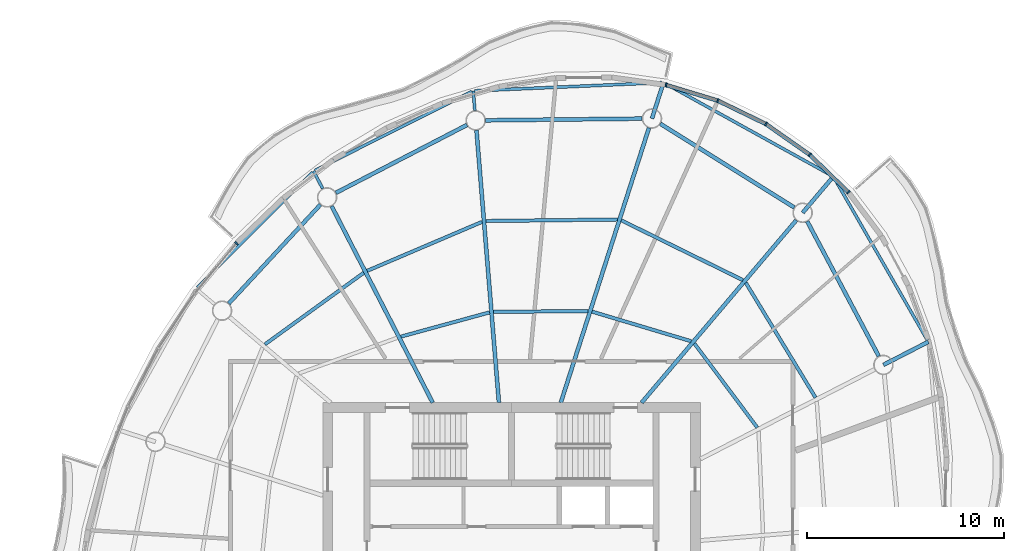
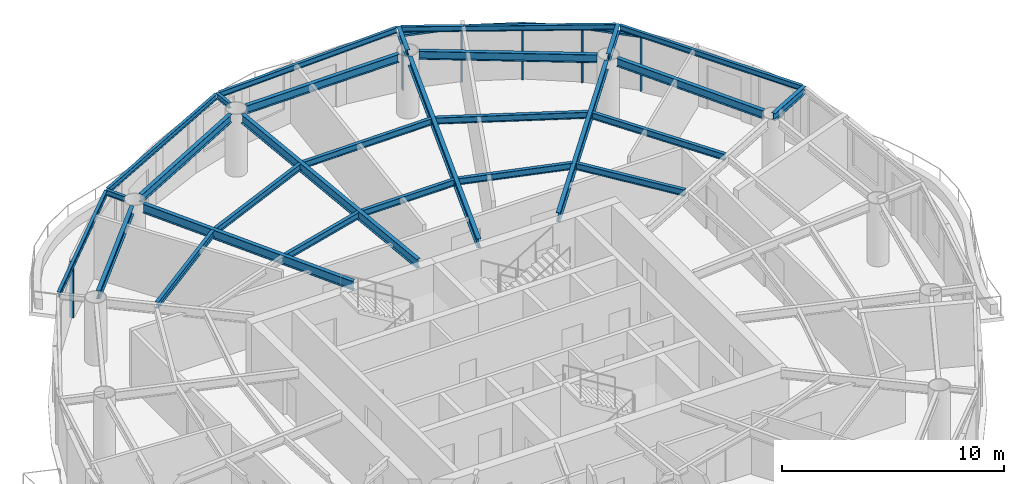
# One storey, part 5 of 13: 28 beams, 10 members, 5 elements without a shape of their own.
"""IFC4 building model written with IfcOpenShell, lengths in metres."""

import ifcopenshell
import ifcopenshell.guid

model = None  # the IFC model being written
_history = None  # IfcOwnerHistory: only IFC2X3 demands one
_inside = {}  # id of a spatial element -> (the spatial element, [elements in it])
_under = {}  # id of a project, library or spatial element -> (it, [spatial elements below it])
_declared = {}  # id of a project -> (the project, [libraries it declares])
_typed = {}  # id of a type object -> (the type object, [elements of that type])
_made_of = {}  # id of a material, layer set ... -> (it, [elements and type objects made of it])


def new_model(schema):
    """Start an empty IFC model of exactly this schema.

    Asked for "IFC4X3", IfcOpenShell would pick the latest addendum, in which some entities
    have other attributes; the version numbers below select the first issue.
    IFC2X3 requires an IfcOwnerHistory on every rooted entity: one is made here for all.
    """
    global model, _history
    if schema == "IFC4X3":
        model = ifcopenshell.file(schema_version=(4, 3, 0, 0))
    else:
        model = ifcopenshell.file(schema=schema)
    _inside.clear()
    _under.clear()
    _declared.clear()
    _typed.clear()
    _made_of.clear()
    _history = None
    if model.schema == "IFC2X3":
        org = make("IfcOrganization", Name="unknown")
        user = make(
            "IfcPersonAndOrganization",
            ThePerson=make("IfcPerson", FamilyName="unknown"),
            TheOrganization=org,
        )
        app = make(
            "IfcApplication",
            ApplicationDeveloper=org,
            Version="unknown",
            ApplicationFullName="unknown",
            ApplicationIdentifier="unknown",
        )
        _history = make(
            "IfcOwnerHistory",
            OwningUser=user,
            OwningApplication=app,
            ChangeAction="ADDED",
            CreationDate=0,
        )
    return model


def make(cls, **values):
    """One entity of the class cls with the attributes given. An attribute that is None is left unset."""
    return model.create_entity(
        cls, **{name: value for name, value in values.items() if value is not None}
    )


def rooted(cls, **values):
    """An entity with a GlobalId (a new one), such as an element, a storey or a relation."""
    return make(cls, GlobalId=ifcopenshell.guid.new(), OwnerHistory=_history, **values)


def si_unit(unit_type, name, prefix=None):
    """IfcSIUnit, for example si_unit("LENGTHUNIT", "METRE", prefix="MILLI")."""
    return make("IfcSIUnit", UnitType=unit_type, Prefix=prefix, Name=name)


def assignment(units):
    """IfcUnitAssignment: the units of a project."""
    return None if units is None else make("IfcUnitAssignment", Units=units)


def point(xyz):
    """IfcCartesianPoint."""
    return None if xyz is None else make("IfcCartesianPoint", Coordinates=xyz)


def direction(xyz):
    """IfcDirection."""
    return None if xyz is None else make("IfcDirection", DirectionRatios=xyz)


def frame(location, z_axis=None, x_axis=None):
    """IfcAxis2Placement3D, a coordinate frame: its origin and axes. An axis left out is left unset."""
    return make(
        "IfcAxis2Placement3D",
        Location=point(location),
        Axis=direction(z_axis),
        RefDirection=direction(x_axis),
    )


def frame_2d(location, x_axis=None):
    """IfcAxis2Placement2D, a coordinate frame in the plane: its origin and x axis."""
    return make(
        "IfcAxis2Placement2D", Location=point(location), RefDirection=direction(x_axis)
    )


def origin():
    """The frame at (0, 0, 0) with its axes left unset."""
    return frame((0.0, 0.0, 0.0))


def origin_2d():
    """The frame at (0, 0) in the plane with its x axis left unset."""
    return frame_2d((0.0, 0.0))


def place(relative_to, where):
    """IfcLocalPlacement: puts the frame where relative to a parent placement (None: the world)."""
    return make(
        "IfcLocalPlacement", PlacementRelTo=relative_to, RelativePlacement=where
    )


def context(
    kind, dimensions, precision=None, world=None, true_north=None, identifier=None
):
    """IfcGeometricRepresentationContext, for example the 3D "Model" context."""
    return make(
        "IfcGeometricRepresentationContext",
        ContextIdentifier=identifier,
        ContextType=kind,
        CoordinateSpaceDimension=dimensions,
        Precision=precision,
        WorldCoordinateSystem=world,
        TrueNorth=true_north,
    )


def subcontext(parent, identifier, kind, view, scale=None):
    """IfcGeometricRepresentationSubContext, for example "Body" below "Model"."""
    return make(
        "IfcGeometricRepresentationSubContext",
        ContextIdentifier=identifier,
        ContextType=kind,
        ParentContext=parent,
        TargetScale=scale,
        TargetView=view,
    )


def project(units=None, contexts=None):
    """IfcProject with its units and contexts."""
    return rooted(
        "IfcProject",
        Name="project",
        RepresentationContexts=contexts,
        UnitsInContext=assignment(units),
    )


def spatial(cls, under=None, at=None, **own):
    """A site, building, storey or space (cls), placed at a placement, below another one or the project."""
    s = rooted(cls, ObjectPlacement=at, **own)
    if under is not None:
        _under.setdefault(under.id(), (under, []))[1].append(s)
    return s


def profile(cls, at=None, kind="AREA", **sizes):
    """A parametric profile (cls). Its sizes go by their IFC names, for example OverallWidth=200.0."""
    return make(cls, ProfileType=kind, Position=at, **sizes)


def rectangle(**sizes):
    """IfcRectangleProfileDef."""
    return profile("IfcRectangleProfileDef", **sizes)


def i_section(**sizes):
    """IfcIShapeProfileDef."""
    return profile("IfcIShapeProfileDef", **sizes)


def extrude(swept, where, along, depth):
    """IfcExtrudedAreaSolid: the profile swept, set in the frame where, extruded along a direction by depth."""
    return make(
        "IfcExtrudedAreaSolid",
        SweptArea=swept,
        Position=where,
        ExtrudedDirection=direction(along),
        Depth=depth,
    )


def shape(context_of_items, identifier, shape_type, items):
    """IfcShapeRepresentation: the items that make up one representation, for example the "Body"."""
    return make(
        "IfcShapeRepresentation",
        ContextOfItems=context_of_items,
        RepresentationIdentifier=identifier,
        RepresentationType=shape_type,
        Items=items,
    )


def material(Name=None, Category=None):
    """IfcMaterial."""
    return make("IfcMaterial", Name=Name, Category=Category)


def material_profile(
    of_material, cross_section, Name=None, Category=None, Priority=None
):
    """IfcMaterialProfile: a cross section and its material."""
    return make(
        "IfcMaterialProfile",
        Name=Name,
        Material=of_material,
        Profile=cross_section,
        Priority=Priority,
        Category=Category,
    )


def profile_set(profiles, Name=None, composite=None):
    """IfcMaterialProfileSet."""
    return make(
        "IfcMaterialProfileSet",
        Name=Name,
        MaterialProfiles=profiles,
        CompositeProfile=composite,
    )


def made_of(thing, what):
    """Note that an element or type object is made of a material, layer set ...; save() writes the relation."""
    if what is not None:
        _made_of.setdefault(what.id(), (what, []))[1].append(thing)
    return thing


def type_object(cls, material=None, **own):
    """A type object (cls), such as IfcWallType, which elements share."""
    return made_of(rooted(cls, **own), material)


def element(
    cls,
    number,
    at=None,
    inside=None,
    cuts=None,
    type_object=None,
    material=None,
    context=None,
    identifier="Body",
    shape_type=None,
    held_by="IfcProductDefinitionShape",
    body=None,
    shapes=None,
    **own,
):
    """One element of the class cls, such as IfcWall. Its Tag is "e" and its number.

    at: its placement. inside: the storey or other place that contains it. cuts: it is an
    opening in that element (IfcRelVoidsElement). A single representation is given by context,
    identifier, shape_type and body (its items); several are given by shapes. held_by: the class
    of the entity that holds the representations. save() writes the other relations.
    """
    e = rooted(cls, Tag="e%d" % number, ObjectPlacement=at, **own)
    if body is not None:
        shapes = [shape(context, identifier, shape_type, body)]
    if shapes is not None:
        e.Representation = make(held_by, Representations=shapes)
    if inside is not None:
        _inside.setdefault(inside.id(), (inside, []))[1].append(e)
    if cuts is not None:
        rooted(
            "IfcRelVoidsElement", RelatingBuildingElement=cuts, RelatedOpeningElement=e
        )
    if type_object is not None:
        _typed.setdefault(type_object.id(), (type_object, []))[1].append(e)
    return made_of(e, material)


def aggregate(whole, parts):
    """IfcRelAggregates: a whole, such as a stair, and the parts it consists of."""
    return rooted("IfcRelAggregates", RelatingObject=whole, RelatedObjects=parts)


def save(model, path):
    """Write the relations noted so far, then the file.

    IfcRelAggregates (storeys below a building ...), IfcRelContainedInSpatialStructure (elements
    in a storey), IfcRelDefinesByType, IfcRelAssociatesMaterial and IfcRelDeclares: one each for
    every whole, place, type object, material and project.
    """
    for whole, parts in _under.values():
        aggregate(whole, parts)
    for where, things in _inside.values():
        rooted(
            "IfcRelContainedInSpatialStructure",
            RelatedElements=things,
            RelatingStructure=where,
        )
    for kind, things in _typed.values():
        rooted("IfcRelDefinesByType", RelatedObjects=things, RelatingType=kind)
    for what, things in _made_of.values():
        rooted("IfcRelAssociatesMaterial", RelatedObjects=things, RelatingMaterial=what)
    for by, libraries in _declared.values():
        rooted("IfcRelDeclares", RelatingContext=by, RelatedDefinitions=libraries)
    model.write(path)


model = new_model("IFC4")

# Units and contexts
model_context = context("Model", 3, precision=1e-05, world=origin(), true_north=direction((0.0, 1.0)))
body_context = subcontext(model_context, "Body", "Model", "MODEL_VIEW")
ifc_project = project(units=[si_unit("LENGTHUNIT", "METRE"), si_unit("AREAUNIT", "SQUARE_METRE"), si_unit("VOLUMEUNIT", "CUBIC_METRE"), si_unit("PLANEANGLEUNIT", "RADIAN"), si_unit("MASSUNIT", "GRAM", prefix="KILO")], contexts=[model_context])

# Site, building, storey
site_placement = place(None, origin())
site = spatial("IfcSite", under=ifc_project, at=site_placement, CompositionType="ELEMENT")
building_placement = place(site_placement, origin())
building = spatial("IfcBuilding", under=site, at=building_placement, Name="Vermilion Reach Broadcast Tower", CompositionType="ELEMENT")
storey_placement = place(building_placement, frame((0.0, 0.0, 272.10009765625)))
storey = spatial("IfcBuildingStorey", under=building, at=storey_placement, Name="L67", CompositionType="ELEMENT", Elevation=272.10009765625)

# Beams
ifc_material_1 = material(Name="Steel S355J2", Category="steel")
ifc_material_profile_1 = material_profile(ifc_material_1, i_section(OverallWidth=0.14990234375, OverallDepth=0.300048828125, WebThickness=0.006591796875, FlangeThickness=0.009033203125, at=origin_2d()), Name="S355J2 HN 300x150x6.5x9")
ifc_profile_set_1 = profile_set([ifc_material_profile_1], Name="Steel S355J2")
beam_type_1 = type_object("IfcBeamType", Name="EB5 HN 300x150x6.5x9", PredefinedType="BEAM", material=ifc_profile_set_1)
beam_1_placement = place(storey_placement, frame((1.618408203125, 24.070068359375, 3.2998046875), z_axis=(-0.999049942398, -0.043579956335, 0.0), x_axis=(0.043579956335, -0.999049942398, 0.0)))
element("IfcBeam", 1, at=beam_1_placement, inside=storey, type_object=beam_type_1, Name="Edge beam EB5-01", PredefinedType="BEAM", context=body_context, shape_type="SweptSolid", body=[
    extrude(i_section(OverallWidth=0.14990234375, OverallDepth=0.300048828125, WebThickness=0.006591796875, FlangeThickness=0.009033203125, at=origin_2d()), origin(), (0.0, 0.0, 1.0), 9.501220703125),
])
beam_2_placement = place(storey_placement, frame((-8.02099609375, 23.616455078125, 3.2998046875), z_axis=(-0.893725948461, -0.448613340247, 0.0), x_axis=(0.448613340247, -0.893725948461, 0.0)))
element("IfcBeam", 2, at=beam_2_placement, inside=storey, type_object=beam_type_1, Name="Edge beam EB5-02", PredefinedType="BEAM", context=body_context, shape_type="SweptSolid", body=[
    extrude(i_section(OverallWidth=0.14990234375, OverallDepth=0.300048828125, WebThickness=0.006591796875, FlangeThickness=0.009033203125, at=origin_2d()), origin(), (0.0, 0.0, 1.0), 8.9267578125),
])
beam_3_placement = place(storey_placement, frame((-16.121826171875, 19.522216796875, 3.2998046875), z_axis=(-0.706149929804, -0.708062339514, 0.0), x_axis=(0.708062339514, -0.706149929804, 0.0)))
element("IfcBeam", 3, at=beam_3_placement, inside=storey, type_object=beam_type_1, Name="Edge beam EB5-03", PredefinedType="BEAM", context=body_context, shape_type="SweptSolid", body=[
    extrude(i_section(OverallWidth=0.14990234375, OverallDepth=0.300048828125, WebThickness=0.006591796875, FlangeThickness=0.009033203125, at=origin_2d()), origin(), (0.0, 0.0, 1.0), 8.298095703125),
])
beam_4_placement = place(storey_placement, frame((15.1396484375, 10.9814453125, 3.2998046875), z_axis=(-0.498113756317, 0.867111691634, 0.0), x_axis=(-0.867111691634, -0.498113756317, 0.0)))
element("IfcBeam", 4, at=beam_4_placement, inside=storey, type_object=beam_type_1, Name="Edge beam EB5-15", PredefinedType="BEAM", context=body_context, shape_type="SweptSolid", body=[
    extrude(i_section(OverallWidth=0.14990234375, OverallDepth=0.300048828125, WebThickness=0.006591796875, FlangeThickness=0.009033203125, at=origin_2d()), origin(), (0.0, 0.0, 1.0), 9.486572265625),
])
beam_5_placement = place(storey_placement, frame((10.27197265625, 19.348876953125, 3.2998046875), z_axis=(-0.875132600865, 0.483883178984, 0.0), x_axis=(-0.483883178984, -0.875132600865, 0.0)))
element("IfcBeam", 5, at=beam_5_placement, inside=storey, type_object=beam_type_1, Name="Edge beam EB5-16", PredefinedType="BEAM", context=body_context, shape_type="SweptSolid", body=[
    extrude(i_section(OverallWidth=0.14990234375, OverallDepth=0.300048828125, WebThickness=0.006591796875, FlangeThickness=0.009033203125, at=origin_2d()), origin(), (0.0, 0.0, 1.0), 9.66455078125),
])
ifc_material_2 = material(Name="Steel S355J2", Category="steel")
ifc_material_profile_2 = material_profile(ifc_material_2, i_section(OverallWidth=0.199951171875, OverallDepth=0.5, WebThickness=0.010009765625, FlangeThickness=0.01611328125, at=origin_2d()), Name="S355J2 HN 500x200x10x16")
ifc_profile_set_2 = profile_set([ifc_material_profile_2], Name="Steel S355J2")
beam_type_2 = type_object("IfcBeamType", Name="G5 HN 500x200x10x16", PredefinedType="BEAM", material=ifc_profile_set_2)
beam_6_placement = place(storey_placement, frame((-3.497314453125, 7.800048828125, 3.199951171875), z_axis=(0.305545401295, 0.952177508528, 0.0), x_axis=(-0.952177508528, 0.305545401295, 0.0)))
element("IfcBeam", 6, at=beam_6_placement, inside=storey, type_object=beam_type_2, Name="Girder G5-01", PredefinedType="BEAM", context=body_context, shape_type="SweptSolid", body=[
    extrude(i_section(OverallWidth=0.199951171875, OverallDepth=0.5, WebThickness=0.010009765625, FlangeThickness=0.01611328125, at=origin_2d()), origin(), (0.0, 0.0, 1.0), 14.672607421875),
])
beam_7_placement = place(storey_placement, frame((-6.642578125, 7.800048828125, 3.199951171875), z_axis=(-0.082123744247, 0.996622140347, 0.0), x_axis=(-0.996622140347, -0.082123744247, 0.0)))
element("IfcBeam", 7, at=beam_7_placement, inside=storey, type_object=beam_type_2, Name="Girder G5-02", PredefinedType="BEAM", context=body_context, shape_type="SweptSolid", body=[
    extrude(i_section(OverallWidth=0.199951171875, OverallDepth=0.5, WebThickness=0.010009765625, FlangeThickness=0.01611328125, at=origin_2d()), origin(), (0.0, 0.0, 1.0), 13.89794921875),
])
beam_8_placement = place(storey_placement, frame((-10.010498046875, 7.800048828125, 3.199951171875), z_axis=(-0.457258168112, 0.889334002327, 0.0), x_axis=(-0.889334002327, -0.457258168112, 0.0)))
element("IfcBeam", 8, at=beam_8_placement, inside=storey, type_object=beam_type_2, Name="Girder G5-03", PredefinedType="BEAM", context=body_context, shape_type="SweptSolid", body=[
    extrude(i_section(OverallWidth=0.199951171875, OverallDepth=0.5, WebThickness=0.010009765625, FlangeThickness=0.01611328125, at=origin_2d()), origin(), (0.0, 0.0, 1.0), 11.236328125),
])
beam_9_placement = place(storey_placement, frame((0.612548828125, 7.800048828125, 3.199951171875), z_axis=(0.646658335602, 0.762779782766, 0.0), x_axis=(-0.762779782766, 0.646658335602, 0.0)))
element("IfcBeam", 9, at=beam_9_placement, inside=storey, type_object=beam_type_2, Name="Girder G5-16", PredefinedType="BEAM", context=body_context, shape_type="SweptSolid", body=[
    extrude(i_section(OverallWidth=0.199951171875, OverallDepth=0.5, WebThickness=0.010009765625, FlangeThickness=0.01611328125, at=origin_2d()), origin(), (0.0, 0.0, 1.0), 12.16064453125),
])
ifc_material_3 = material(Name="Steel S355J2", Category="steel")
ifc_material_profile_3 = material_profile(ifc_material_3, i_section(OverallWidth=0.199951171875, OverallDepth=0.39990234375, WebThickness=0.008056640625, FlangeThickness=0.012939453125, at=origin_2d()), Name="S355J2 HN 400x200x8x13")
ifc_profile_set_3 = profile_set([ifc_material_profile_3], Name="Steel S355J2")
beam_type_3 = type_object("IfcBeamType", Name="GC5 HN 400x200x8x13", PredefinedType="BEAM", material=ifc_profile_set_3)
beam_10_placement = place(storey_placement, frame((1.138427734375, 22.2470703125, 3.25), z_axis=(0.305523298336, 0.952184600891, 0.0), x_axis=(-0.952184600891, 0.305523298336, 0.0)))
element("IfcBeam", 10, at=beam_10_placement, inside=storey, type_object=beam_type_3, Name="Cantilever girder GC5-01", PredefinedType="BEAM", context=body_context, shape_type="SweptSolid", body=[
    extrude(i_section(OverallWidth=0.199951171875, OverallDepth=0.39990234375, WebThickness=0.008056640625, FlangeThickness=0.012939453125, at=origin_2d()), origin(), (0.0, 0.0, 1.0), 1.91943359375),
])
beam_11_placement = place(storey_placement, frame((12.905517578125, 9.72021484375, 3.25), z_axis=(0.88931320561, 0.457298613958, 0.0), x_axis=(-0.457298613958, 0.88931320561, 0.0)))
element("IfcBeam", 11, at=beam_11_placement, inside=storey, type_object=beam_type_3, Name="Cantilever girder GC5-15", PredefinedType="BEAM", context=body_context, shape_type="SweptSolid", body=[
    extrude(i_section(OverallWidth=0.199951171875, OverallDepth=0.39990234375, WebThickness=0.008056640625, FlangeThickness=0.012939453125, at=origin_2d()), origin(), (0.0, 0.0, 1.0), 2.568359375),
])
beam_12_placement = place(storey_placement, frame((8.799560546875, 17.457275390625, 3.25), z_axis=(0.646644338429, 0.762791648865, 0.0), x_axis=(-0.762791648865, 0.646644338429, 0.0)))
element("IfcBeam", 12, at=beam_12_placement, inside=storey, type_object=beam_type_3, Name="Cantilever girder GC5-16", PredefinedType="BEAM", context=body_context, shape_type="SweptSolid", body=[
    extrude(i_section(OverallWidth=0.199951171875, OverallDepth=0.39990234375, WebThickness=0.008056640625, FlangeThickness=0.012939453125, at=origin_2d()), origin(), (0.0, 0.0, 1.0), 2.415283203125),
])
ifc_material_4 = material(Name="Steel S355J2", Category="steel")
ifc_material_profile_4 = material_profile(ifc_material_4, i_section(OverallWidth=0.14990234375, OverallDepth=0.300048828125, WebThickness=0.006591796875, FlangeThickness=0.009033203125, at=origin_2d()), Name="S355J2 HN 300x150x6.5x9")
ifc_profile_set_4 = profile_set([ifc_material_profile_4], Name="Steel S355J2")
beam_type_4 = type_object("IfcBeamType", Name="GS5 HN 300x150x6.5x9", PredefinedType="BEAM", material=ifc_profile_set_4)
beam_13_placement = place(storey_placement, frame((-7.865966796875, 22.647705078125, 3.2998046875), z_axis=(-0.08206377946, 0.996627079755, 0.0), x_axis=(-0.996627079755, -0.08206377946, 0.0)))
element("IfcBeam", 13, at=beam_13_placement, inside=storey, type_object=beam_type_4, Name="Cantilever stub GS5-02", PredefinedType="BEAM", context=body_context, shape_type="SweptSolid", body=[
    extrude(i_section(OverallWidth=0.14990234375, OverallDepth=0.300048828125, WebThickness=0.006591796875, FlangeThickness=0.009033203125, at=origin_2d()), origin(), (0.0, 0.0, 1.0), 1.008544921875),
])
beam_14_placement = place(storey_placement, frame((-15.60546875, 18.682373046875, 3.2998046875), z_axis=(-0.457364442195, 0.889279352631, 0.0), x_axis=(-0.889279352631, -0.457364442195, 0.0)))
element("IfcBeam", 14, at=beam_14_placement, inside=storey, type_object=beam_type_4, Name="Cantilever stub GS5-03", PredefinedType="BEAM", context=body_context, shape_type="SweptSolid", body=[
    extrude(i_section(OverallWidth=0.14990234375, OverallDepth=0.300048828125, WebThickness=0.006591796875, FlangeThickness=0.009033203125, at=origin_2d()), origin(), (0.0, 0.0, 1.0), 1.00732421875),
])
ifc_material_5 = material(Name="Steel S355J2", Category="steel")
ifc_material_profile_5 = material_profile(ifc_material_5, i_section(OverallWidth=0.199951171875, OverallDepth=0.449951171875, WebThickness=0.009033203125, FlangeThickness=0.013916015625, at=origin_2d()), Name="S355J2 HN 450x200x9x14")
ifc_profile_set_5 = profile_set([ifc_material_profile_5], Name="Steel S355J2")
beam_type_5 = type_object("IfcBeamType", Name="RB5 HN 450x200x9x14", PredefinedType="BEAM", material=ifc_profile_set_5)
beam_15_placement = place(storey_placement, frame((0.638427734375, 22.24169921875, 3.224853515625), z_axis=(-0.999940445231, -0.010913569149, 0.0), x_axis=(0.010913569149, -0.999940445231, 0.0)))
element("IfcBeam", 15, at=beam_15_placement, inside=storey, type_object=beam_type_5, Name="Ring beam RB5-01", PredefinedType="BEAM", context=body_context, shape_type="SweptSolid", body=[
    extrude(i_section(OverallWidth=0.199951171875, OverallDepth=0.449951171875, WebThickness=0.009033203125, FlangeThickness=0.013916015625, at=origin_2d()), origin(), (0.0, 0.0, 1.0), 7.9638671875),
])
beam_16_placement = place(storey_placement, frame((-8.268798828125, 21.91943359375, 3.224853515625), z_axis=(-0.887960248279, -0.459920207729, 0.0), x_axis=(0.459920207729, -0.887960248279, 0.0)))
element("IfcBeam", 16, at=beam_16_placement, inside=storey, type_object=beam_type_5, Name="Ring beam RB5-02", PredefinedType="BEAM", context=body_context, shape_type="SweptSolid", body=[
    extrude(i_section(OverallWidth=0.199951171875, OverallDepth=0.449951171875, WebThickness=0.009033203125, FlangeThickness=0.013916015625, at=origin_2d()), origin(), (0.0, 0.0, 1.0), 7.5048828125),
])
beam_17_placement = place(storey_placement, frame((-15.716796875, 17.87109375, 3.224853515625), z_axis=(-0.679837550075, -0.733362738014, 0.0), x_axis=(0.733362738014, -0.679837550075, 0.0)))
element("IfcBeam", 17, at=beam_17_placement, inside=storey, type_object=beam_type_5, Name="Ring beam RB5-03", PredefinedType="BEAM", context=body_context, shape_type="SweptSolid", body=[
    extrude(i_section(OverallWidth=0.199951171875, OverallDepth=0.449951171875, WebThickness=0.009033203125, FlangeThickness=0.013916015625, at=origin_2d()), origin(), (0.0, 0.0, 1.0), 6.85546875),
])
beam_18_placement = place(storey_placement, frame((12.671142578125, 10.161865234375, 3.224853515625), z_axis=(-0.468767917375, 0.883321368269, 0.0), x_axis=(-0.883321368269, -0.468767917375, 0.0)))
element("IfcBeam", 18, at=beam_18_placement, inside=storey, type_object=beam_type_5, Name="Ring beam RB5-15", PredefinedType="BEAM", context=body_context, shape_type="SweptSolid", body=[
    extrude(i_section(OverallWidth=0.199951171875, OverallDepth=0.449951171875, WebThickness=0.009033203125, FlangeThickness=0.013916015625, at=origin_2d()), origin(), (0.0, 0.0, 1.0), 7.759033203125),
])
beam_19_placement = place(storey_placement, frame((8.375732421875, 17.722412109375, 3.224853515625), z_axis=(-0.847914653245, 0.530132757724, 0.0), x_axis=(-0.530132757724, -0.847914653245, 0.0)))
element("IfcBeam", 19, at=beam_19_placement, inside=storey, type_object=beam_type_5, Name="Ring beam RB5-16", PredefinedType="BEAM", context=body_context, shape_type="SweptSolid", body=[
    extrude(i_section(OverallWidth=0.199951171875, OverallDepth=0.449951171875, WebThickness=0.009033203125, FlangeThickness=0.013916015625, at=origin_2d()), origin(), (0.0, 0.0, 1.0), 8.035400390625),
])
ifc_material_6 = material(Name="Steel S355J2", Category="steel")
ifc_material_profile_6 = material_profile(ifc_material_6, i_section(OverallWidth=0.175048828125, OverallDepth=0.35009765625, WebThickness=0.007080078125, FlangeThickness=0.010986328125, at=origin_2d()), Name="S355J2 HN 350x175x7x11")
ifc_profile_set_6 = profile_set([ifc_material_profile_6], Name="Steel S355J2")
beam_type_6 = type_object("IfcBeamType", Name="SB5 HN 350x175x7x11", PredefinedType="BEAM", material=ifc_profile_set_6)
beam_20_placement = place(storey_placement, frame((-2.108154296875, 12.4560546875, 3.27490234375), z_axis=(-0.999968312294, -0.007960804474, 0.0), x_axis=(0.007960804474, -0.999968312294, 0.0)))
element("IfcBeam", 20, at=beam_20_placement, inside=storey, type_object=beam_type_6, Name="Secondary beam SB5-01-1", PredefinedType="BEAM", context=body_context, shape_type="SweptSolid", body=[
    extrude(i_section(OverallWidth=0.175048828125, OverallDepth=0.35009765625, WebThickness=0.007080078125, FlangeThickness=0.010986328125, at=origin_2d()), origin(), (0.0, 0.0, 1.0), 4.81494140625),
])
beam_21_placement = place(storey_placement, frame((-0.614013671875, 17.11279296875, 3.27490234375), z_axis=(-0.999932654133, -0.011605481368, 0.0), x_axis=(0.011605481368, -0.999932654133, 0.0)))
element("IfcBeam", 21, at=beam_21_placement, inside=storey, type_object=beam_type_6, Name="Secondary beam SB5-01-2", PredefinedType="BEAM", context=body_context, shape_type="SweptSolid", body=[
    extrude(i_section(OverallWidth=0.175048828125, OverallDepth=0.35009765625, WebThickness=0.007080078125, FlangeThickness=0.010986328125, at=origin_2d()), origin(), (0.0, 0.0, 1.0), 6.689697265625),
])
beam_22_placement = place(storey_placement, frame((-7.12109375, 12.39013671875, 3.27490234375), z_axis=(-0.964547496851, -0.263909314573, 0.0), x_axis=(0.263909314573, -0.964547496851, 0.0)))
element("IfcBeam", 22, at=beam_22_placement, inside=storey, type_object=beam_type_6, Name="Secondary beam SB5-02-1", PredefinedType="BEAM", context=body_context, shape_type="SweptSolid", body=[
    extrude(i_section(OverallWidth=0.175048828125, OverallDepth=0.35009765625, WebThickness=0.007080078125, FlangeThickness=0.010986328125, at=origin_2d()), origin(), (0.0, 0.0, 1.0), 4.6689453125),
])
beam_23_placement = place(storey_placement, frame((-7.50048828125, 16.99267578125, 3.27490234375), z_axis=(-0.919880986172, -0.392197617637, 0.0), x_axis=(0.392197617637, -0.919880986172, 0.0)))
element("IfcBeam", 23, at=beam_23_placement, inside=storey, type_object=beam_type_6, Name="Secondary beam SB5-02-2", PredefinedType="BEAM", context=body_context, shape_type="SweptSolid", body=[
    extrude(i_section(OverallWidth=0.175048828125, OverallDepth=0.35009765625, WebThickness=0.007080078125, FlangeThickness=0.010986328125, at=origin_2d()), origin(), (0.0, 0.0, 1.0), 6.351806640625),
])
beam_24_placement = place(storey_placement, frame((-13.517578125, 14.402587890625, 3.27490234375), z_axis=(-0.809771251518, -0.586745703192, 0.0), x_axis=(0.586745703192, -0.809771251518, 0.0)))
element("IfcBeam", 24, at=beam_24_placement, inside=storey, type_object=beam_type_6, Name="Secondary beam SB5-03-2", PredefinedType="BEAM", context=body_context, shape_type="SweptSolid", body=[
    extrude(i_section(OverallWidth=0.175048828125, OverallDepth=0.35009765625, WebThickness=0.007080078125, FlangeThickness=0.010986328125, at=origin_2d()), origin(), (0.0, 0.0, 1.0), 6.20361328125),
])
beam_25_placement = place(storey_placement, frame((6.492919921875, 6.53564453125, 3.27490234375), z_axis=(-0.599055582645, 0.800707442767, 0.0), x_axis=(-0.800707442767, -0.599055582645, 0.0)))
element("IfcBeam", 25, at=beam_25_placement, inside=storey, type_object=beam_type_6, Name="Secondary beam SB5-15-1", PredefinedType="BEAM", context=body_context, shape_type="SweptSolid", body=[
    extrude(i_section(OverallWidth=0.175048828125, OverallDepth=0.35009765625, WebThickness=0.007080078125, FlangeThickness=0.010986328125, at=origin_2d()), origin(), (0.0, 0.0, 1.0), 5.337890625),
])
beam_26_placement = place(storey_placement, frame((9.455078125, 8.058837890625, 3.27490234375), z_axis=(-0.519272962556, 0.854608442714, 0.0), x_axis=(-0.854608442714, -0.519272962556, 0.0)))
element("IfcBeam", 26, at=beam_26_placement, inside=storey, type_object=beam_type_6, Name="Secondary beam SB5-15-2", PredefinedType="BEAM", context=body_context, shape_type="SweptSolid", body=[
    extrude(i_section(OverallWidth=0.175048828125, OverallDepth=0.35009765625, WebThickness=0.007080078125, FlangeThickness=0.010986328125, at=origin_2d()), origin(), (0.0, 0.0, 1.0), 6.82763671875),
])
beam_27_placement = place(storey_placement, frame((3.129150390625, 10.92333984375, 3.27490234375), z_axis=(-0.958124906971, 0.286350593925, 0.0), x_axis=(-0.286350593925, -0.958124906971, 0.0)))
element("IfcBeam", 27, at=beam_27_placement, inside=storey, type_object=beam_type_6, Name="Secondary beam SB5-16-1", PredefinedType="BEAM", context=body_context, shape_type="SweptSolid", body=[
    extrude(i_section(OverallWidth=0.175048828125, OverallDepth=0.35009765625, WebThickness=0.007080078125, FlangeThickness=0.010986328125, at=origin_2d()), origin(), (0.0, 0.0, 1.0), 5.25634765625),
])
beam_28_placement = place(storey_placement, frame((5.762451171875, 14.029541015625, 3.27490234375), z_axis=(-0.897335928087, 0.441348198325, 0.0), x_axis=(-0.441348198325, -0.897335928087, 0.0)))
element("IfcBeam", 28, at=beam_28_placement, inside=storey, type_object=beam_type_6, Name="Secondary beam SB5-16-2", PredefinedType="BEAM", context=body_context, shape_type="SweptSolid", body=[
    extrude(i_section(OverallWidth=0.175048828125, OverallDepth=0.35009765625, WebThickness=0.007080078125, FlangeThickness=0.010986328125, at=origin_2d()), origin(), (0.0, 0.0, 1.0), 6.887451171875),
])

# Curtain wall, member
ifc_material_7 = material(Name="Low-e laminated clear glass in aluminium frame", Category="aluminium")
curtain_wall_type = type_object("IfcCurtainWallType", Name="Slot curtain wall", PredefinedType="NOTDEFINED", material=ifc_material_7)
placement = place(storey_placement, origin())
curtain_wall_1 = element("IfcCurtainWall", 29, at=placement, inside=storey, type_object=curtain_wall_type, Name="Slot curtain wall L67 46", PredefinedType="NOTDEFINED")
ifc_material_8 = material(Name="Anodised aluminium", Category="aluminium")
ifc_material_profile_7 = material_profile(ifc_material_8, rectangle(XDim=0.199951171875, YDim=0.080078125, at=origin_2d()), Name="Slot mullion 80 x 200")
ifc_profile_set_7 = profile_set([ifc_material_profile_7], Name="Anodised aluminium")
member_type_1 = type_object("IfcMemberType", Name="Slot mullion 80 x 200", PredefinedType="MULLION", material=ifc_profile_set_7)
member_1_placement = place(storey_placement, frame((11.125, 18.49609375, 0.0), z_axis=(0.0, 0.0, 1.0), x_axis=(-0.749573902945, -0.661920662938, 0.0)))
member_1 = element("IfcMember", 30, at=member_1_placement, type_object=member_type_1, Name="Slot mullion L67 46", PredefinedType="MULLION", context=body_context, shape_type="SweptSolid", body=[
    extrude(rectangle(XDim=0.199951171875, YDim=0.080078125, at=origin_2d()), origin(), (0.0, 0.0, 1.0), 3.0498046875),
])

curtain_wall_2 = element("IfcCurtainWall", 31, at=placement, inside=storey, type_object=curtain_wall_type, Name="Slot curtain wall L67 47", PredefinedType="NOTDEFINED")
member_2_placement = place(storey_placement, frame((9.156005859375, 20.406005859375, 0.0), z_axis=(0.0, 0.0, 1.0), x_axis=(-0.637274907423, -0.770636550113, 0.0)))
member_2 = element("IfcMember", 32, at=member_2_placement, type_object=member_type_1, Name="Slot mullion L67 47", PredefinedType="MULLION", context=body_context, shape_type="SweptSolid", body=[
    extrude(rectangle(XDim=0.199951171875, YDim=0.080078125, at=origin_2d()), origin(), (0.0, 0.0, 1.0), 3.0498046875),
])

curtain_wall_3 = element("IfcCurtainWall", 33, at=placement, inside=storey, type_object=curtain_wall_type, Name="Slot curtain wall L67 00", PredefinedType="NOTDEFINED")
member_3_placement = place(storey_placement, frame((6.9296875, 21.9677734375, 0.0), z_axis=(0.0, 0.0, 1.0), x_axis=(-0.507237652661, -0.861806221678, 0.0)))
member_3 = element("IfcMember", 34, at=member_3_placement, type_object=member_type_1, Name="Slot mullion L67 00", PredefinedType="MULLION", context=body_context, shape_type="SweptSolid", body=[
    extrude(rectangle(XDim=0.199951171875, YDim=0.080078125, at=origin_2d()), origin(), (0.0, 0.0, 1.0), 3.0498046875),
])

# Curtain wall, members
curtain_wall_4 = element("IfcCurtainWall", 35, at=placement, inside=storey, type_object=curtain_wall_type, Name="Slot curtain wall L67 01", PredefinedType="NOTDEFINED")
member_4_placement = place(storey_placement, frame((4.4833984375, 23.156005859375, 0.0), z_axis=(0.0, 0.0, 1.0), x_axis=(-0.364406877508, -0.931239833568, 0.0)))
member_4 = element("IfcMember", 36, at=member_4_placement, type_object=member_type_1, Name="Slot mullion L67 01", PredefinedType="MULLION", context=body_context, shape_type="SweptSolid", body=[
    extrude(rectangle(XDim=0.199951171875, YDim=0.080078125, at=origin_2d()), origin(), (0.0, 0.0, 1.0), 3.0498046875),
])
member_5_placement = place(storey_placement, frame((1.85791015625, 23.950439453125, 0.0), z_axis=(0.0, 0.0, 1.0), x_axis=(-0.214846299436, -0.976647872889, 0.0)))
member_5 = element("IfcMember", 37, at=member_5_placement, type_object=member_type_1, Name="Slot mullion L67 02", PredefinedType="MULLION", context=body_context, shape_type="SweptSolid", body=[
    extrude(rectangle(XDim=0.199951171875, YDim=0.080078125, at=origin_2d()), origin(), (0.0, 0.0, 1.0), 3.0498046875),
])

# Curtain wall, member
curtain_wall_5 = element("IfcCurtainWall", 38, at=placement, inside=storey, type_object=curtain_wall_type, Name="Slot curtain wall L67 10", PredefinedType="NOTDEFINED")
member_6_placement = place(storey_placement, frame((-19.987060546875, 15.903076171875, 0.0), z_axis=(0.0, 0.0, 1.0), x_axis=(0.732768763205, -0.680477729005, 0.0)))
member_6 = element("IfcMember", 39, at=member_6_placement, type_object=member_type_1, Name="Slot mullion L67 10", PredefinedType="MULLION", context=body_context, shape_type="SweptSolid", body=[
    extrude(rectangle(XDim=0.199951171875, YDim=0.080078125, at=origin_2d()), origin(), (0.0, 0.0, 1.0), 3.0498046875),
])
aggregate(curtain_wall_5, [member_6])

# Member
ifc_material_9 = material(Name="Anodised aluminium", Category="aluminium")
ifc_material_profile_8 = material_profile(ifc_material_9, rectangle(XDim=0.199951171875, YDim=0.10009765625, at=origin_2d()), Name="Slot transom 200 x 100")
ifc_profile_set_8 = profile_set([ifc_material_profile_8], Name="Anodised aluminium")
member_type_2 = type_object("IfcMemberType", Name="Slot transom 200 x 100", PredefinedType="USERDEFINED", material=ifc_profile_set_8)
member_7_placement = place(storey_placement, frame((11.096435546875, 18.52392578125, 3.0), z_axis=(-0.717842077726, 0.696205969125, 0.0), x_axis=(-0.696205969125, -0.717842077726, 0.0)))
member_7 = element("IfcMember", 40, at=member_7_placement, type_object=member_type_2, Name="Slot transom L67 46.1", ObjectType="TRANSOM", PredefinedType="USERDEFINED", context=body_context, shape_type="SweptSolid", body=[
    extrude(rectangle(XDim=0.199951171875, YDim=0.10009765625, at=origin_2d()), origin(), (0.0, 0.0, 1.0), 2.6630859375),
])

aggregate(curtain_wall_1, [member_1, member_7])

member_8_placement = place(storey_placement, frame((9.123291015625, 20.428955078125, 3.0), z_axis=(-0.818653579829, 0.57428765983, 0.0), x_axis=(-0.57428765983, -0.818653579829, 0.0)))
member_8 = element("IfcMember", 41, at=member_8_placement, type_object=member_type_2, Name="Slot transom L67 47.1", ObjectType="TRANSOM", PredefinedType="USERDEFINED", context=body_context, shape_type="SweptSolid", body=[
    extrude(rectangle(XDim=0.199951171875, YDim=0.10009765625, at=origin_2d()), origin(), (0.0, 0.0, 1.0), 2.6396484375),
])

aggregate(curtain_wall_2, [member_2, member_8])

member_9_placement = place(storey_placement, frame((6.893798828125, 21.9853515625, 3.0), z_axis=(-0.899492579625, 0.436936035594, 0.0), x_axis=(-0.436936035594, -0.899492579625, 0.0)))
member_9 = element("IfcMember", 42, at=member_9_placement, type_object=member_type_2, Name="Slot transom L67 00.1", ObjectType="TRANSOM", PredefinedType="USERDEFINED", context=body_context, shape_type="SweptSolid", body=[
    extrude(rectangle(XDim=0.199951171875, YDim=0.10009765625, at=origin_2d()), origin(), (0.0, 0.0, 1.0), 2.6396484375),
])

aggregate(curtain_wall_3, [member_3, member_9])

member_10_placement = place(storey_placement, frame((4.445068359375, 23.167724609375, 3.0), z_axis=(-0.957142299053, 0.289618057731, 0.0), x_axis=(-0.289618057731, -0.957142299053, 0.0)))
member_10 = element("IfcMember", 43, at=member_10_placement, type_object=member_type_2, Name="Slot transom L67 01.1", ObjectType="TRANSOM", PredefinedType="USERDEFINED", context=body_context, shape_type="SweptSolid", body=[
    extrude(rectangle(XDim=0.199951171875, YDim=0.10009765625, at=origin_2d()), origin(), (0.0, 0.0, 1.0), 2.662841796875),
])

aggregate(curtain_wall_4, [member_4, member_5, member_10])

save(model, "model.ifc")
